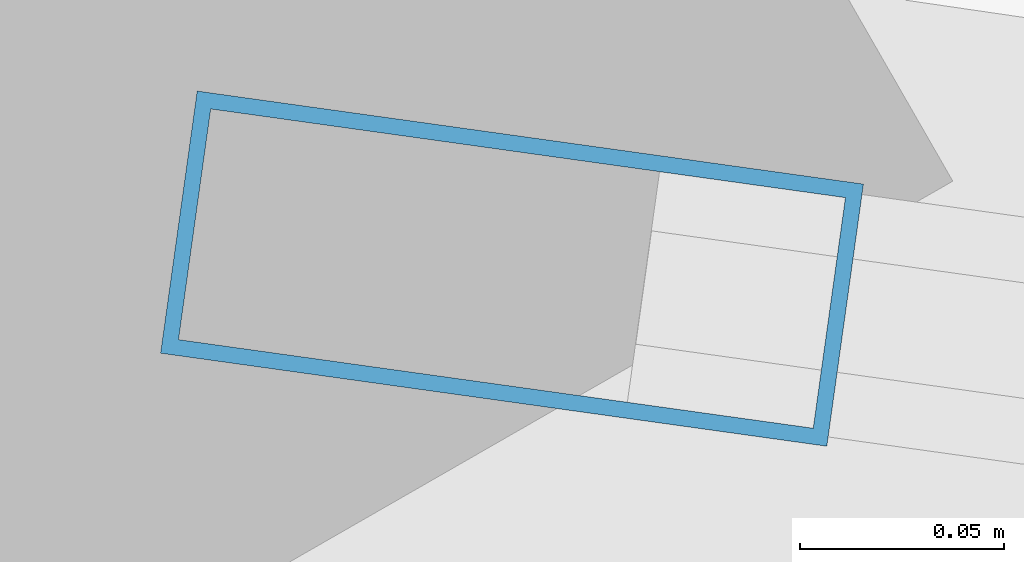
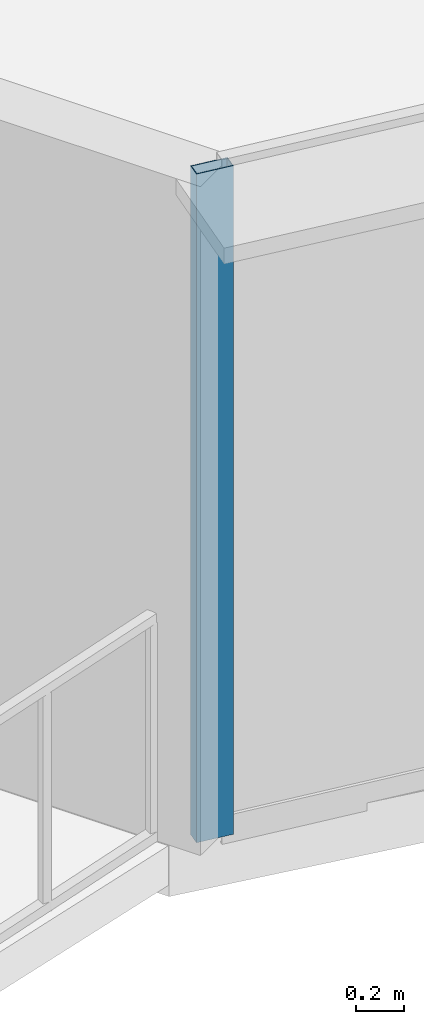
# One storey, part 2 of 38: 1 member, 1 element without a shape of its own.
"""IFC4 building model written with IfcOpenShell, lengths in metres."""

from ifc_helpers import new_model, si_unit, direction, frame, origin, origin_2d, place, context, subcontext, project, spatial, hollow_rectangle, extrude, source, transform, mapped, material, layer, layer_set, material_profile, profile_set, type_object, element, aggregate, save


model = new_model("IFC4")

# Units and contexts
model_context = context("Model", 3, precision=1e-05, world=origin(), true_north=direction((0.0, 1.0)))
body_context = subcontext(model_context, "Body", "Model", "MODEL_VIEW")
ifc_project = project(units=[si_unit("LENGTHUNIT", "METRE"), si_unit("AREAUNIT", "SQUARE_METRE"), si_unit("VOLUMEUNIT", "CUBIC_METRE"), si_unit("PLANEANGLEUNIT", "RADIAN"), si_unit("MASSUNIT", "GRAM", prefix="KILO"), si_unit("THERMODYNAMICTEMPERATUREUNIT", "KELVIN"), si_unit("POWERUNIT", "WATT")], contexts=[model_context])

# Site, building, storey
site_placement = place(None, origin())
site = spatial("IfcSite", under=ifc_project, at=site_placement, CompositionType="ELEMENT")
building_placement = place(site_placement, origin())
building = spatial("IfcBuilding", under=site, at=building_placement, Name="Yunzhuo Pagoda Commons", CompositionType="ELEMENT")
storey_placement = place(building_placement, frame((0.0, 0.0, 37.659912109375)))
storey = spatial("IfcBuildingStorey", under=building, at=storey_placement, Name="L09", CompositionType="ELEMENT", Elevation=37.659912109375)

# Curtain wall, member
ifc_material = material(Name="Anodized aluminium 6063-T6", Category="aluminium")
ifc_layer = layer(ifc_material, 0.1650390625)
ifc_layer_set = layer_set([ifc_layer], Name="Anodized aluminium 6063-T6")
curtain_wall_type = type_object("IfcCurtainWallType", Name="CW-LOW Low-Zone Ribbon Curtain Wall", PredefinedType="NOTDEFINED", material=ifc_layer_set)
curtain_wall_placement = place(storey_placement, origin())
curtain_wall = element("IfcCurtainWall", 1, at=curtain_wall_placement, inside=storey, type_object=curtain_wall_type, Name="L09 curtain wall CW-L09-F1B1", PredefinedType="NOTDEFINED")
ifc_material_profile = material_profile(ifc_material, hollow_rectangle(XDim=0.06494140625, YDim=0.1650390625, WallThickness=0.00390625, at=origin_2d()), Name="Anodized aluminium 6063-T6")
ifc_profile_set = profile_set([ifc_material_profile], Name="Anodized aluminium 6063-T6")
member_type = type_object("IfcMemberType", Name="CW-LOW-M Mullion RHS 165x65x4", PredefinedType="MULLION", material=ifc_profile_set)
shared_shape = source(origin(), body_context, "Body", "SweptSolid", [
    extrude(hollow_rectangle(XDim=0.06494140625, YDim=0.1650390625, WallThickness=0.00390625, at=origin_2d()), origin(), (0.0, 0.0, 1.0), 3.3701171875),
])
member_placement = place(storey_placement, frame((9.14697265625, 14.077880859375, 0.0), z_axis=(0.0, 0.0, 1.0), x_axis=(0.138293641491, 0.99039127052, 0.0)))
member = element("IfcMember", 2, at=member_placement, type_object=member_type, Name="CW mullion 1", PredefinedType="MULLION", context=body_context, shape_type="MappedRepresentation", body=[
    mapped(shared_shape, transform((0.0, 0.0, 0.0), scale=1.0)),
])
aggregate(curtain_wall, [member])

save(model, "model.ifc")
